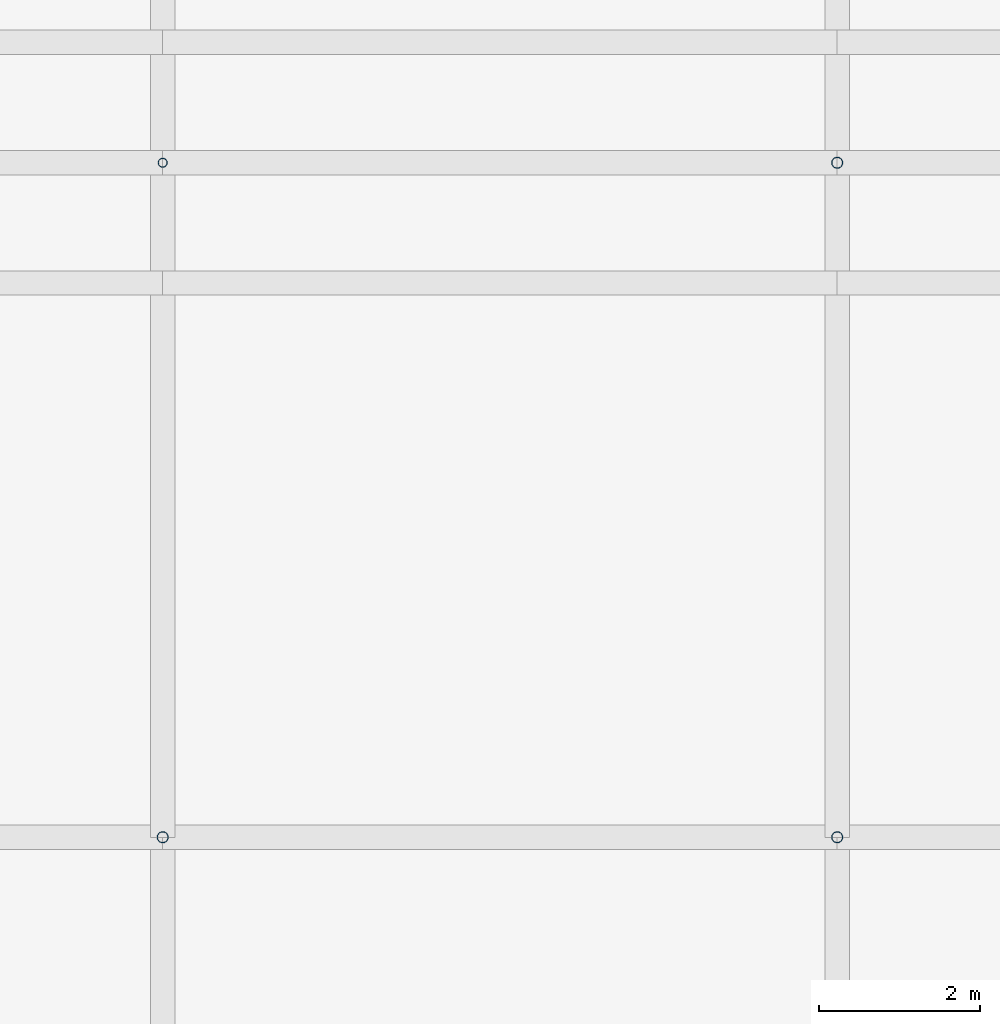
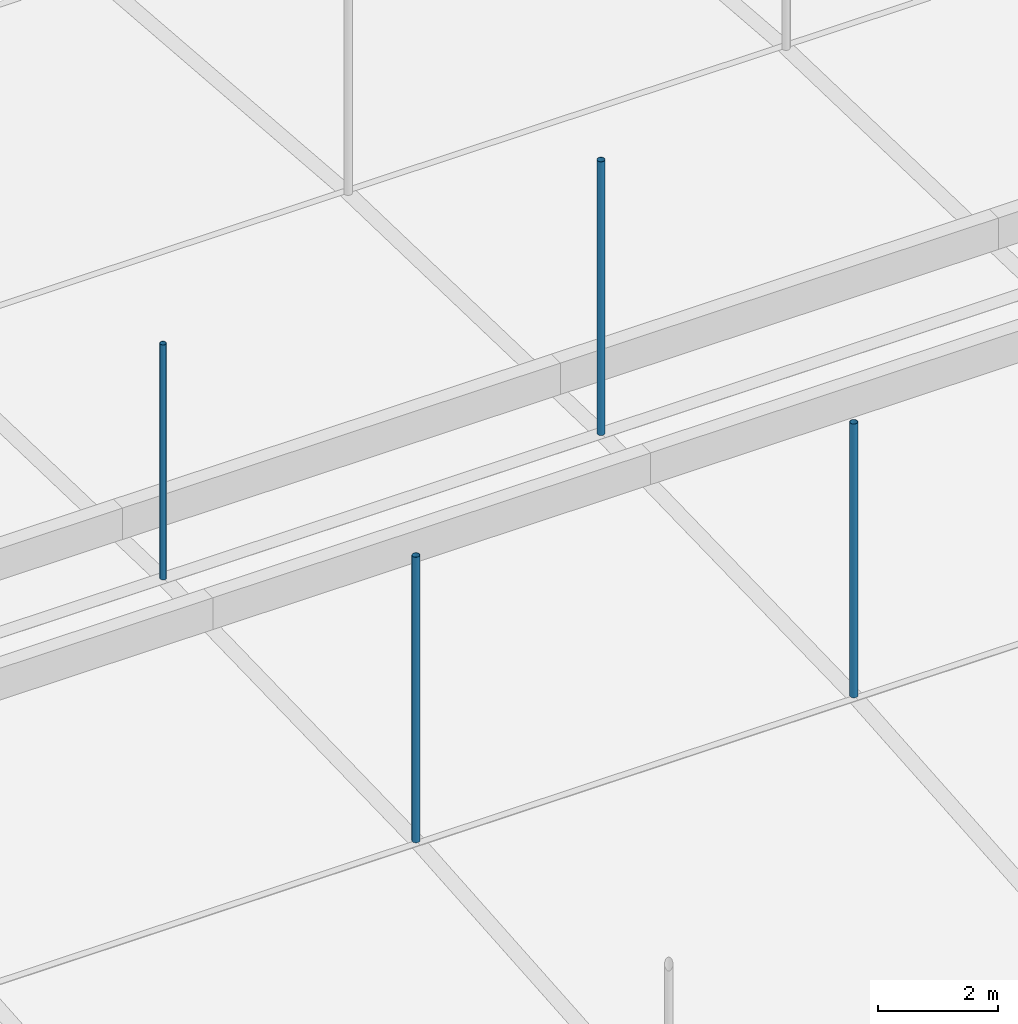
# One storey, part 13 of 37: 4 discrete accessories.
"""IFC4 building model written with IfcOpenShell, lengths in metres."""

from ifc_helpers import new_model, si_unit, direction, frame, origin, origin_2d, place, context, subcontext, project, spatial, hollow_circle, extrude, material, material_profile, profile_set, type_object, element, save


model = new_model("IFC4")

# Units and contexts
model_context = context("Model", 3, precision=1e-05, world=origin(), true_north=direction((0.0, 1.0)))
body_context = subcontext(model_context, "Body", "Model", "MODEL_VIEW")
ifc_project = project(units=[si_unit("LENGTHUNIT", "METRE"), si_unit("AREAUNIT", "SQUARE_METRE"), si_unit("VOLUMEUNIT", "CUBIC_METRE"), si_unit("PLANEANGLEUNIT", "RADIAN"), si_unit("MASSUNIT", "GRAM", prefix="KILO")], contexts=[model_context])

# Site, building, storey
site_placement = place(None, origin())
site = spatial("IfcSite", under=ifc_project, at=site_placement, CompositionType="ELEMENT")
building_placement = place(site_placement, origin())
building = spatial("IfcBuilding", under=site, at=building_placement, Name="Rain Tree Exposition and Congress Centre", CompositionType="ELEMENT")
storey_placement = place(building_placement, frame((0.0, 0.0, 25.0)))
storey = spatial("IfcBuildingStorey", under=building, at=storey_placement, Name="ROOF VAULT LOW", CompositionType="ELEMENT", Elevation=25.0)

# Discrete accessories
ifc_material_1 = material(Name="Steel S355J2H", Category="steel")
ifc_material_profile_1 = material_profile(ifc_material_1, hollow_circle(Radius=0.05712890625, WallThickness=0.00439453125, at=origin_2d()), Name="CHS 114x4.5")
ifc_profile_set_1 = profile_set([ifc_material_profile_1], Name="Steel S355J2H")
discrete_accessory_type_1 = type_object("IfcDiscreteAccessoryType", Name="Roof skin post CHS 114x4.5", PredefinedType="BRACKET", material=ifc_profile_set_1)
discrete_accessory_1_placement = place(storey_placement, frame((42.0, 151.199951171875, 1.39990234375), z_axis=(0.0, 0.0, 1.0), x_axis=(1.0, 0.0, 0.0)))
element("IfcDiscreteAccessory", 1, at=discrete_accessory_1_placement, inside=storey, type_object=discrete_accessory_type_1, Name="Roof skin post A95", PredefinedType="BRACKET", context=body_context, shape_type="SweptSolid", body=[
    extrude(hollow_circle(Radius=0.05712890625, WallThickness=0.00439453125, at=origin_2d()), origin(), (0.0, 0.0, 1.0), 4.766357421875),
])
ifc_material_2 = material(Name="Steel S355J2H", Category="steel")
ifc_material_profile_2 = material_profile(ifc_material_2, hollow_circle(Radius=0.06982421875, WallThickness=0.0048828125, at=origin_2d()), Name="CHS 140x5")
ifc_profile_set_2 = profile_set([ifc_material_profile_2], Name="Steel S355J2H")
discrete_accessory_type_2 = type_object("IfcDiscreteAccessoryType", Name="Roof skin post CHS 140x5", PredefinedType="BRACKET", material=ifc_profile_set_2)
discrete_accessory_2_placement = place(storey_placement, frame((42.0, 142.800048828125, 1.1728515625), z_axis=(0.0, 0.0, 1.0), x_axis=(1.0, 0.0, 0.0)))
element("IfcDiscreteAccessory", 2, at=discrete_accessory_2_placement, inside=storey, type_object=discrete_accessory_type_2, Name="Roof skin post A80", PredefinedType="BRACKET", context=body_context, shape_type="SweptSolid", body=[
    extrude(hollow_circle(Radius=0.06982421875, WallThickness=0.0048828125, at=origin_2d()), origin(), (0.0, 0.0, 1.0), 5.78955078125),
])
discrete_accessory_3_placement = place(storey_placement, frame((50.39990234375, 142.800048828125, 1.1728515625), z_axis=(0.0, 0.0, 1.0), x_axis=(1.0, 0.0, 0.0)))
element("IfcDiscreteAccessory", 3, at=discrete_accessory_3_placement, inside=storey, type_object=discrete_accessory_type_2, Name="Roof skin post A81", PredefinedType="BRACKET", context=body_context, shape_type="SweptSolid", body=[
    extrude(hollow_circle(Radius=0.06982421875, WallThickness=0.0048828125, at=origin_2d()), origin(), (0.0, 0.0, 1.0), 5.550537109375),
])
discrete_accessory_4_placement = place(storey_placement, frame((50.39990234375, 151.199951171875, 1.39990234375), z_axis=(0.0, 0.0, 1.0), x_axis=(1.0, 0.0, 0.0)))
element("IfcDiscreteAccessory", 4, at=discrete_accessory_4_placement, inside=storey, type_object=discrete_accessory_type_2, Name="Roof skin post A96", PredefinedType="BRACKET", context=body_context, shape_type="SweptSolid", body=[
    extrude(hollow_circle(Radius=0.06982421875, WallThickness=0.0048828125, at=origin_2d()), origin(), (0.0, 0.0, 1.0), 5.54736328125),
])

save(model, "model.ifc")
